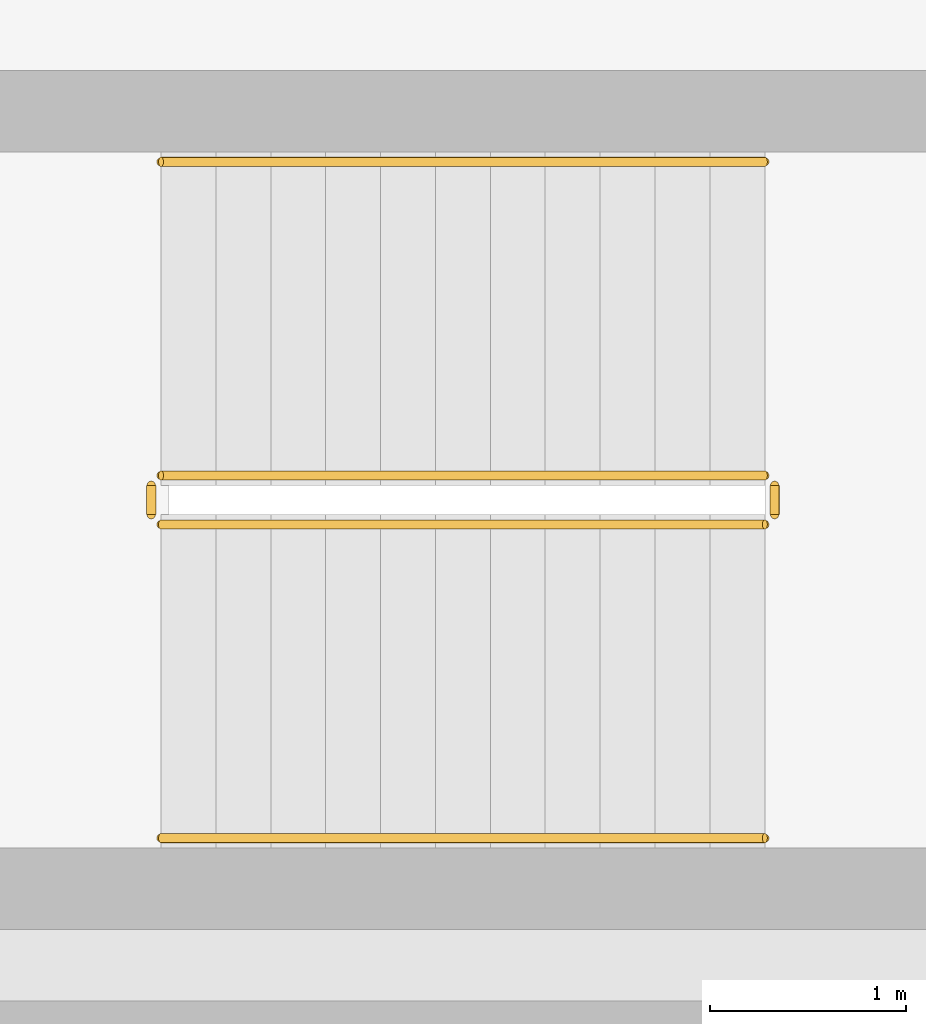
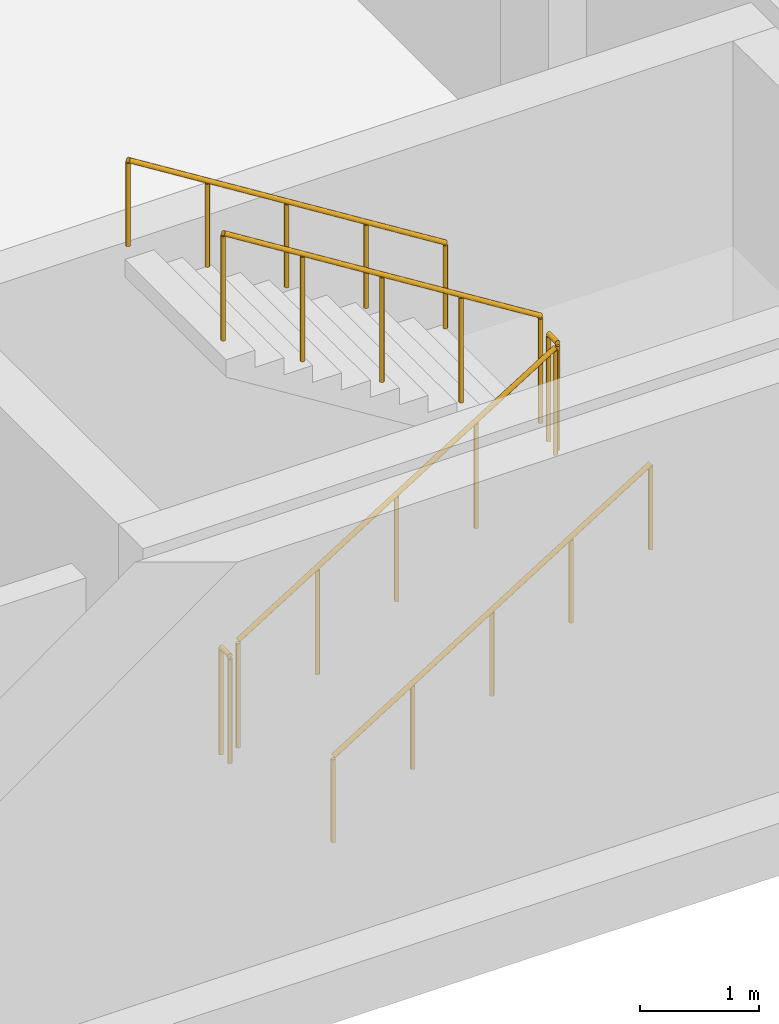
# One storey, part 29 of 31: 6 railings.
"""IFC4 building model written with IfcOpenShell, lengths in metres."""

from ifc_helpers import new_model, si_unit, direction, frame, origin, origin_2d, place, context, subcontext, project, spatial, circle, extrude, material, type_object, element, save


model = new_model("IFC4")

# Units and contexts
model_context = context("Model", 3, precision=1e-05, world=origin(), true_north=direction((0.0, 1.0)))
body_context = subcontext(model_context, "Body", "Model", "MODEL_VIEW")
ifc_project = project(units=[si_unit("LENGTHUNIT", "METRE"), si_unit("AREAUNIT", "SQUARE_METRE"), si_unit("VOLUMEUNIT", "CUBIC_METRE"), si_unit("PLANEANGLEUNIT", "RADIAN"), si_unit("MASSUNIT", "GRAM", prefix="KILO")], contexts=[model_context])

# Site, building, storey
site_placement = place(None, origin())
site = spatial("IfcSite", under=ifc_project, at=site_placement, CompositionType="ELEMENT")
building_placement = place(site_placement, origin())
building = spatial("IfcBuilding", under=site, at=building_placement, Name="Qalavern Law Courts", CompositionType="ELEMENT")
storey_placement = place(building_placement, frame((0.0, 0.0, -4.199951171875)))
storey = spatial("IfcBuildingStorey", under=building, at=storey_placement, Name="B1", CompositionType="ELEMENT", Elevation=-4.199951171875)

# Railings
ifc_material = material(Name="Steel S355", Category="steel")
railing_type_1 = type_object("IfcRailingType", Name="INT-GUARD-1120", PredefinedType="BALUSTRADE", material=ifc_material)
railing_1_placement = place(storey_placement, frame((99.89990234375, 43.64990234375, 0.175048828125)))
element("IfcRailing", 1, at=railing_1_placement, inside=storey, type_object=railing_type_1, Name="B1 ST-K1A stair guard 1", PredefinedType="BALUSTRADE", context=body_context, shape_type="SweptSolid", body=[
    extrude(circle(Radius=0.02392578125, at=origin_2d()), frame((0.0, 0.0, 1.09619140625), z_axis=(0.848028513186, 0.0, 0.529950602248), x_axis=(0.0, 1.0, 0.0)), (0.0, 0.0, 1.0), 3.632080078125),
    extrude(circle(Radius=0.02099609375, at=origin_2d()), origin(), (0.0, 0.0, 1.0), 1.072021484375),
    extrude(circle(Radius=0.02099609375, at=origin_2d()), frame((0.77001953125, 0.0, 0.481201171875)), (0.0, 0.0, 1.0), 1.072021484375),
    extrude(circle(Radius=0.02099609375, at=origin_2d()), frame((1.5400390625, 0.0, 0.96240234375)), (0.0, 0.0, 1.0), 1.072021484375),
    extrude(circle(Radius=0.02099609375, at=origin_2d()), frame((2.31005859375, 0.0, 1.443603515625)), (0.0, 0.0, 1.0), 1.072021484375),
    extrude(circle(Radius=0.02099609375, at=origin_2d()), frame((3.080078125, 0.0, 1.9248046875)), (0.0, 0.0, 1.0), 1.072021484375),
])
railing_2_placement = place(storey_placement, frame((103.030029296875, 43.699951171875, 2.099853515625)))
element("IfcRailing", 2, at=railing_2_placement, inside=storey, type_object=railing_type_1, Name="B1 ST-K1A stair guard 2", PredefinedType="BALUSTRADE", context=body_context, shape_type="SweptSolid", body=[
    extrude(circle(Radius=0.02392578125, at=origin_2d()), frame((0.0, 0.0, 1.09619140625), z_axis=(0.0, 1.0, 0.0), x_axis=(-1.0, 0.0, 0.0)), (0.0, 0.0, 1.0), 0.150146484375),
    extrude(circle(Radius=0.02099609375, at=origin_2d()), origin(), (0.0, 0.0, 1.0), 1.072021484375),
    extrude(circle(Radius=0.02099609375, at=origin_2d()), frame((0.0, 0.150146484375, 0.0)), (0.0, 0.0, 1.0), 1.072021484375),
])
railing_3_placement = place(storey_placement, frame((102.97998046875, 43.89990234375, 2.27490234375)))
element("IfcRailing", 3, at=railing_3_placement, inside=storey, type_object=railing_type_1, Name="B1 ST-K1A stair guard 3", PredefinedType="BALUSTRADE", context=body_context, shape_type="SweptSolid", body=[
    extrude(circle(Radius=0.02392578125, at=origin_2d()), frame((0.0, 0.0, 1.09619140625), z_axis=(-0.847998304005, 0.0, 0.529998940003), x_axis=(0.0, -1.0, 0.0)), (0.0, 0.0, 1.0), 3.632080078125),
    extrude(circle(Radius=0.02099609375, at=origin_2d()), origin(), (0.0, 0.0, 1.0), 1.072021484375),
    extrude(circle(Radius=0.02099609375, at=origin_2d()), frame((-0.77001953125, 0.0, 0.481201171875)), (0.0, 0.0, 1.0), 1.072021484375),
    extrude(circle(Radius=0.02099609375, at=origin_2d()), frame((-1.5400390625, 0.0, 0.96240234375)), (0.0, 0.0, 1.0), 1.072021484375),
    extrude(circle(Radius=0.02099609375, at=origin_2d()), frame((-2.31005859375, 0.0, 1.44384765625)), (0.0, 0.0, 1.0), 1.072021484375),
    extrude(circle(Radius=0.02099609375, at=origin_2d()), frame((-3.080078125, 0.0, 1.925048828125)), (0.0, 0.0, 1.0), 1.072021484375),
])
railing_4_placement = place(storey_placement, frame((99.85009765625, 43.699951171875, 0.0)))
element("IfcRailing", 4, at=railing_4_placement, inside=storey, type_object=railing_type_1, Name="B1 ST-K1A stair guard 4", PredefinedType="BALUSTRADE", context=body_context, shape_type="SweptSolid", body=[
    extrude(circle(Radius=0.02392578125, at=origin_2d()), frame((0.0, 0.0, 1.09619140625), z_axis=(0.0, 1.0, 0.0), x_axis=(-1.0, 0.0, 0.0)), (0.0, 0.0, 1.0), 0.150146484375),
    extrude(circle(Radius=0.02099609375, at=origin_2d()), origin(), (0.0, 0.0, 1.0), 1.072021484375),
    extrude(circle(Radius=0.02099609375, at=origin_2d()), frame((0.0, 0.150146484375, 0.0)), (0.0, 0.0, 1.0), 1.072021484375),
])
railing_type_2 = type_object("IfcRailingType", Name="INT-HRAIL-920", PredefinedType="HANDRAIL", material=ifc_material)
railing_5_placement = place(storey_placement, frame((99.89990234375, 42.050048828125, 0.175048828125)))
element("IfcRailing", 5, at=railing_5_placement, inside=storey, type_object=railing_type_2, Name="B1 ST-K1A stair handrail 1", PredefinedType="HANDRAIL", context=body_context, shape_type="SweptSolid", body=[
    extrude(circle(Radius=0.02392578125, at=origin_2d()), frame((0.0, 0.0, 0.8759765625), z_axis=(0.848028513186, 0.0, 0.529950602248), x_axis=(0.0, 1.0, 0.0)), (0.0, 0.0, 1.0), 3.632080078125),
    extrude(circle(Radius=0.02099609375, at=origin_2d()), origin(), (0.0, 0.0, 1.0), 0.851806640625),
    extrude(circle(Radius=0.02099609375, at=origin_2d()), frame((0.77001953125, 0.0, 0.481201171875)), (0.0, 0.0, 1.0), 0.851806640625),
    extrude(circle(Radius=0.02099609375, at=origin_2d()), frame((1.5400390625, 0.0, 0.96240234375)), (0.0, 0.0, 1.0), 0.851806640625),
    extrude(circle(Radius=0.02099609375, at=origin_2d()), frame((2.31005859375, 0.0, 1.443603515625)), (0.0, 0.0, 1.0), 0.851806640625),
    extrude(circle(Radius=0.02099609375, at=origin_2d()), frame((3.080078125, 0.0, 1.9248046875)), (0.0, 0.0, 1.0), 0.851806640625),
])
railing_6_placement = place(storey_placement, frame((102.97998046875, 45.5, 2.27490234375)))
element("IfcRailing", 6, at=railing_6_placement, inside=storey, type_object=railing_type_2, Name="B1 ST-K1A stair handrail 2", PredefinedType="HANDRAIL", context=body_context, shape_type="SweptSolid", body=[
    extrude(circle(Radius=0.02392578125, at=origin_2d()), frame((0.0, 0.0, 0.8759765625), z_axis=(-0.847998304005, 0.0, 0.529998940003), x_axis=(0.0, -1.0, 0.0)), (0.0, 0.0, 1.0), 3.632080078125),
    extrude(circle(Radius=0.02099609375, at=origin_2d()), origin(), (0.0, 0.0, 1.0), 0.851806640625),
    extrude(circle(Radius=0.02099609375, at=origin_2d()), frame((-0.77001953125, 0.0, 0.481201171875)), (0.0, 0.0, 1.0), 0.851806640625),
    extrude(circle(Radius=0.02099609375, at=origin_2d()), frame((-1.5400390625, 0.0, 0.96240234375)), (0.0, 0.0, 1.0), 0.851806640625),
    extrude(circle(Radius=0.02099609375, at=origin_2d()), frame((-2.31005859375, 0.0, 1.44384765625)), (0.0, 0.0, 1.0), 0.851806640625),
    extrude(circle(Radius=0.02099609375, at=origin_2d()), frame((-3.080078125, 0.0, 1.925048828125)), (0.0, 0.0, 1.0), 0.851806640625),
])

save(model, "model.ifc")
